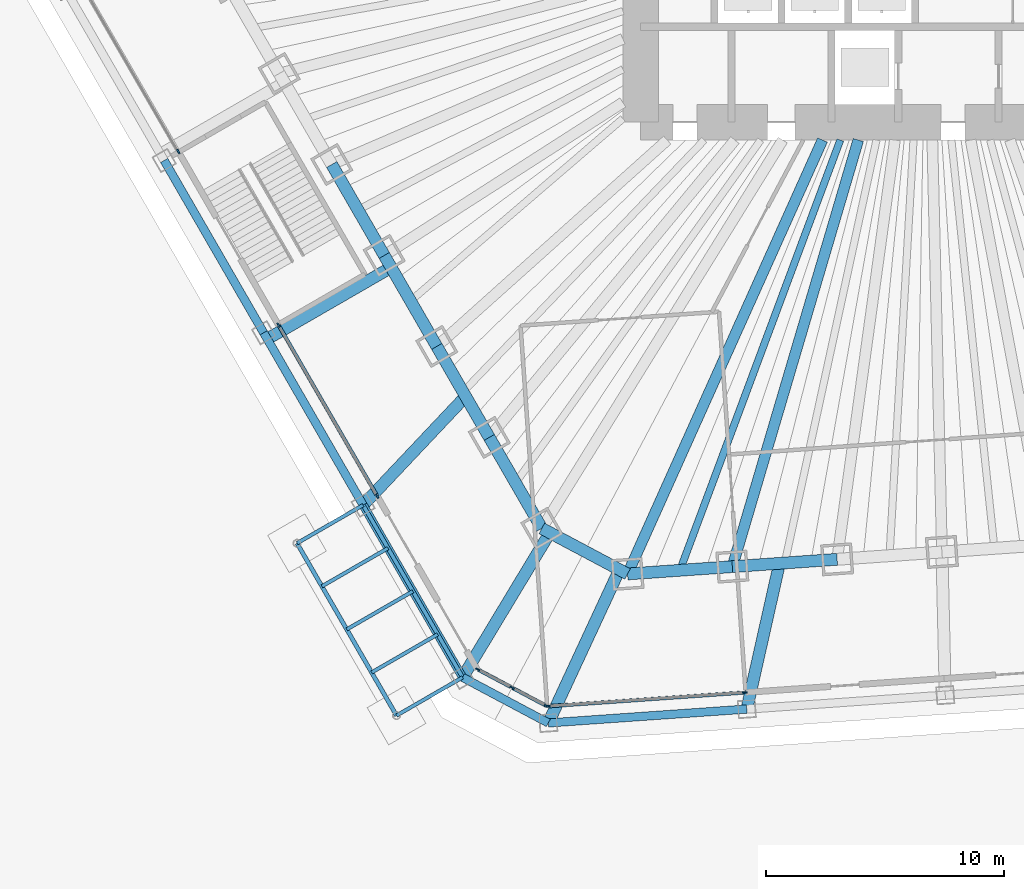
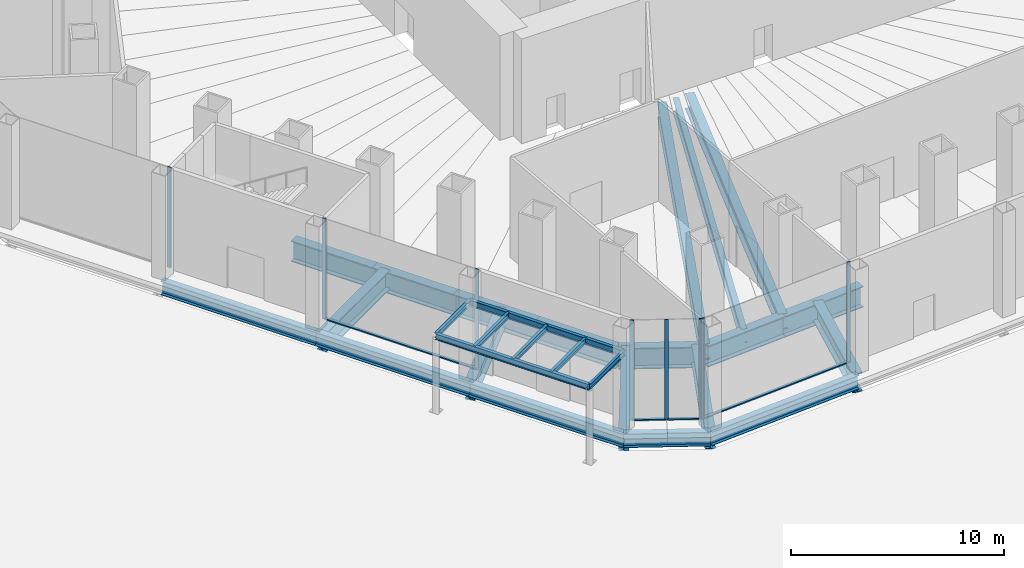
# One storey, part 11 of 45: 27 beams, 12 members, 4 elements without a shape of their own.
"""IFC4 building model written with IfcOpenShell, lengths in metres."""

import ifcopenshell
import ifcopenshell.guid

model = None  # the IFC model being written
_history = None  # IfcOwnerHistory: only IFC2X3 demands one
_inside = {}  # id of a spatial element -> (the spatial element, [elements in it])
_under = {}  # id of a project, library or spatial element -> (it, [spatial elements below it])
_declared = {}  # id of a project -> (the project, [libraries it declares])
_typed = {}  # id of a type object -> (the type object, [elements of that type])
_made_of = {}  # id of a material, layer set ... -> (it, [elements and type objects made of it])


def new_model(schema):
    """Start an empty IFC model of exactly this schema.

    Asked for "IFC4X3", IfcOpenShell would pick the latest addendum, in which some entities
    have other attributes; the version numbers below select the first issue.
    IFC2X3 requires an IfcOwnerHistory on every rooted entity: one is made here for all.
    """
    global model, _history
    if schema == "IFC4X3":
        model = ifcopenshell.file(schema_version=(4, 3, 0, 0))
    else:
        model = ifcopenshell.file(schema=schema)
    _inside.clear()
    _under.clear()
    _declared.clear()
    _typed.clear()
    _made_of.clear()
    _history = None
    if model.schema == "IFC2X3":
        org = make("IfcOrganization", Name="unknown")
        user = make(
            "IfcPersonAndOrganization",
            ThePerson=make("IfcPerson", FamilyName="unknown"),
            TheOrganization=org,
        )
        app = make(
            "IfcApplication",
            ApplicationDeveloper=org,
            Version="unknown",
            ApplicationFullName="unknown",
            ApplicationIdentifier="unknown",
        )
        _history = make(
            "IfcOwnerHistory",
            OwningUser=user,
            OwningApplication=app,
            ChangeAction="ADDED",
            CreationDate=0,
        )
    return model


def make(cls, **values):
    """One entity of the class cls with the attributes given. An attribute that is None is left unset."""
    return model.create_entity(
        cls, **{name: value for name, value in values.items() if value is not None}
    )


def rooted(cls, **values):
    """An entity with a GlobalId (a new one), such as an element, a storey or a relation."""
    return make(cls, GlobalId=ifcopenshell.guid.new(), OwnerHistory=_history, **values)


def si_unit(unit_type, name, prefix=None):
    """IfcSIUnit, for example si_unit("LENGTHUNIT", "METRE", prefix="MILLI")."""
    return make("IfcSIUnit", UnitType=unit_type, Prefix=prefix, Name=name)


def assignment(units):
    """IfcUnitAssignment: the units of a project."""
    return None if units is None else make("IfcUnitAssignment", Units=units)


def point(xyz):
    """IfcCartesianPoint."""
    return None if xyz is None else make("IfcCartesianPoint", Coordinates=xyz)


def direction(xyz):
    """IfcDirection."""
    return None if xyz is None else make("IfcDirection", DirectionRatios=xyz)


def frame(location, z_axis=None, x_axis=None):
    """IfcAxis2Placement3D, a coordinate frame: its origin and axes. An axis left out is left unset."""
    return make(
        "IfcAxis2Placement3D",
        Location=point(location),
        Axis=direction(z_axis),
        RefDirection=direction(x_axis),
    )


def frame_2d(location, x_axis=None):
    """IfcAxis2Placement2D, a coordinate frame in the plane: its origin and x axis."""
    return make(
        "IfcAxis2Placement2D", Location=point(location), RefDirection=direction(x_axis)
    )


def origin():
    """The frame at (0, 0, 0) with its axes left unset."""
    return frame((0.0, 0.0, 0.0))


def origin_2d():
    """The frame at (0, 0) in the plane with its x axis left unset."""
    return frame_2d((0.0, 0.0))


def place(relative_to, where):
    """IfcLocalPlacement: puts the frame where relative to a parent placement (None: the world)."""
    return make(
        "IfcLocalPlacement", PlacementRelTo=relative_to, RelativePlacement=where
    )


def context(
    kind, dimensions, precision=None, world=None, true_north=None, identifier=None
):
    """IfcGeometricRepresentationContext, for example the 3D "Model" context."""
    return make(
        "IfcGeometricRepresentationContext",
        ContextIdentifier=identifier,
        ContextType=kind,
        CoordinateSpaceDimension=dimensions,
        Precision=precision,
        WorldCoordinateSystem=world,
        TrueNorth=true_north,
    )


def subcontext(parent, identifier, kind, view, scale=None):
    """IfcGeometricRepresentationSubContext, for example "Body" below "Model"."""
    return make(
        "IfcGeometricRepresentationSubContext",
        ContextIdentifier=identifier,
        ContextType=kind,
        ParentContext=parent,
        TargetScale=scale,
        TargetView=view,
    )


def project(units=None, contexts=None):
    """IfcProject with its units and contexts."""
    return rooted(
        "IfcProject",
        Name="project",
        RepresentationContexts=contexts,
        UnitsInContext=assignment(units),
    )


def spatial(cls, under=None, at=None, **own):
    """A site, building, storey or space (cls), placed at a placement, below another one or the project."""
    s = rooted(cls, ObjectPlacement=at, **own)
    if under is not None:
        _under.setdefault(under.id(), (under, []))[1].append(s)
    return s


def profile(cls, at=None, kind="AREA", **sizes):
    """A parametric profile (cls). Its sizes go by their IFC names, for example OverallWidth=200.0."""
    return make(cls, ProfileType=kind, Position=at, **sizes)


def rectangle(**sizes):
    """IfcRectangleProfileDef."""
    return profile("IfcRectangleProfileDef", **sizes)


def i_section(**sizes):
    """IfcIShapeProfileDef."""
    return profile("IfcIShapeProfileDef", **sizes)


def extrude(swept, where, along, depth):
    """IfcExtrudedAreaSolid: the profile swept, set in the frame where, extruded along a direction by depth."""
    return make(
        "IfcExtrudedAreaSolid",
        SweptArea=swept,
        Position=where,
        ExtrudedDirection=direction(along),
        Depth=depth,
    )


def shape(context_of_items, identifier, shape_type, items):
    """IfcShapeRepresentation: the items that make up one representation, for example the "Body"."""
    return make(
        "IfcShapeRepresentation",
        ContextOfItems=context_of_items,
        RepresentationIdentifier=identifier,
        RepresentationType=shape_type,
        Items=items,
    )


def material(Name=None, Category=None):
    """IfcMaterial."""
    return make("IfcMaterial", Name=Name, Category=Category)


def material_profile(
    of_material, cross_section, Name=None, Category=None, Priority=None
):
    """IfcMaterialProfile: a cross section and its material."""
    return make(
        "IfcMaterialProfile",
        Name=Name,
        Material=of_material,
        Profile=cross_section,
        Priority=Priority,
        Category=Category,
    )


def profile_set(profiles, Name=None, composite=None):
    """IfcMaterialProfileSet."""
    return make(
        "IfcMaterialProfileSet",
        Name=Name,
        MaterialProfiles=profiles,
        CompositeProfile=composite,
    )


def made_of(thing, what):
    """Note that an element or type object is made of a material, layer set ...; save() writes the relation."""
    if what is not None:
        _made_of.setdefault(what.id(), (what, []))[1].append(thing)
    return thing


def type_object(cls, material=None, **own):
    """A type object (cls), such as IfcWallType, which elements share."""
    return made_of(rooted(cls, **own), material)


def element(
    cls,
    number,
    at=None,
    inside=None,
    cuts=None,
    type_object=None,
    material=None,
    context=None,
    identifier="Body",
    shape_type=None,
    held_by="IfcProductDefinitionShape",
    body=None,
    shapes=None,
    **own,
):
    """One element of the class cls, such as IfcWall. Its Tag is "e" and its number.

    at: its placement. inside: the storey or other place that contains it. cuts: it is an
    opening in that element (IfcRelVoidsElement). A single representation is given by context,
    identifier, shape_type and body (its items); several are given by shapes. held_by: the class
    of the entity that holds the representations. save() writes the other relations.
    """
    e = rooted(cls, Tag="e%d" % number, ObjectPlacement=at, **own)
    if body is not None:
        shapes = [shape(context, identifier, shape_type, body)]
    if shapes is not None:
        e.Representation = make(held_by, Representations=shapes)
    if inside is not None:
        _inside.setdefault(inside.id(), (inside, []))[1].append(e)
    if cuts is not None:
        rooted(
            "IfcRelVoidsElement", RelatingBuildingElement=cuts, RelatedOpeningElement=e
        )
    if type_object is not None:
        _typed.setdefault(type_object.id(), (type_object, []))[1].append(e)
    return made_of(e, material)


def aggregate(whole, parts):
    """IfcRelAggregates: a whole, such as a stair, and the parts it consists of."""
    return rooted("IfcRelAggregates", RelatingObject=whole, RelatedObjects=parts)


def save(model, path):
    """Write the relations noted so far, then the file.

    IfcRelAggregates (storeys below a building ...), IfcRelContainedInSpatialStructure (elements
    in a storey), IfcRelDefinesByType, IfcRelAssociatesMaterial and IfcRelDeclares: one each for
    every whole, place, type object, material and project.
    """
    for whole, parts in _under.values():
        aggregate(whole, parts)
    for where, things in _inside.values():
        rooted(
            "IfcRelContainedInSpatialStructure",
            RelatedElements=things,
            RelatingStructure=where,
        )
    for kind, things in _typed.values():
        rooted("IfcRelDefinesByType", RelatedObjects=things, RelatingType=kind)
    for what, things in _made_of.values():
        rooted("IfcRelAssociatesMaterial", RelatedObjects=things, RelatingMaterial=what)
    for by, libraries in _declared.values():
        rooted("IfcRelDeclares", RelatingContext=by, RelatedDefinitions=libraries)
    model.write(path)


model = new_model("IFC4")

# Units and contexts
model_context = context("Model", 3, precision=1e-05, world=origin(), true_north=direction((0.0, 1.0)))
body_context = subcontext(model_context, "Body", "Model", "MODEL_VIEW")
ifc_project = project(units=[si_unit("LENGTHUNIT", "METRE"), si_unit("AREAUNIT", "SQUARE_METRE"), si_unit("VOLUMEUNIT", "CUBIC_METRE"), si_unit("PLANEANGLEUNIT", "RADIAN"), si_unit("MASSUNIT", "GRAM", prefix="KILO")], contexts=[model_context])

# Site, building, storey
site_placement = place(None, origin())
site = spatial("IfcSite", under=ifc_project, at=site_placement, CompositionType="ELEMENT")
building_placement = place(site_placement, origin())
building = spatial("IfcBuilding", under=site, at=building_placement, Name="Qingtian Harvest Tower", CompositionType="ELEMENT")
storey_placement = place(building_placement, origin())
storey = spatial("IfcBuildingStorey", under=building, at=storey_placement, Name="L00", CompositionType="ELEMENT", Elevation=0.0)

# Beams
ifc_material_1 = material(Name="Steel SN490B", Category="steel")
ifc_material_profile_1 = material_profile(ifc_material_1, i_section(OverallWidth=0.14990234375, OverallDepth=0.300048828125, WebThickness=0.006591796875, FlangeThickness=0.009033203125, at=origin_2d()), Name="H300x150x6.5x9")
ifc_profile_set_1 = profile_set([ifc_material_profile_1], Name="Steel SN490B")
beam_type_1 = type_object("IfcBeamType", Name="Canopy beam CB1 H300x150x6.5x9", PredefinedType="BEAM", material=ifc_profile_set_1)
for number, where, z_axis, x_axis, name in (
    (1, (-19.468505859375, -32.279541015625, 4.31005859375), (-0.866008981251, -0.500028443584, 0.0), (0.500028443584, -0.866008981251, 0.0), "Canopy beam CB1 CN4 0"),
    (2, (-23.639404296875, -25.055419921875, 4.31005859375), (-0.866042017984, -0.499971222258, 0.0), (0.499971222258, -0.866042017984, 0.0), "Canopy beam CB1 CN4 1"),
    (3, (-20.51123046875, -30.4736328125, 4.31005859375), (-0.866042017984, -0.499971222258, 0.0), (0.499971222258, -0.866042017984, 0.0), "Canopy rafter CB1 CN4 0.1"),
    (4, (-21.553955078125, -28.66748046875, 4.31005859375), (-0.866008981251, -0.500028443584, 0.0), (0.500028443584, -0.866008981251, 0.0), "Canopy rafter CB1 CN4 0.2"),
    (5, (-22.5966796875, -26.861328125, 4.31005859375), (-0.866008981251, -0.500028443584, 0.0), (0.500028443584, -0.866008981251, 0.0), "Canopy rafter CB1 CN4 0.3"),
):
    element("IfcBeam", number, at=place(storey_placement, frame(where, z_axis=z_axis, x_axis=x_axis)), inside=storey, type_object=beam_type_1, Name=name, PredefinedType="BEAM", context=body_context, shape_type="SweptSolid", body=[
        extrude(i_section(OverallWidth=0.14990234375, OverallDepth=0.300048828125, WebThickness=0.006591796875, FlangeThickness=0.009033203125, at=origin_2d()), origin(), (0.0, 0.0, 1.0), 3.199951171875),
    ])
ifc_material_2 = material(Name="Steel SN490B", Category="steel")
ifc_material_profile_2 = material_profile(ifc_material_2, i_section(OverallWidth=0.175048828125, OverallDepth=0.35009765625, WebThickness=0.007080078125, FlangeThickness=0.010986328125, at=origin_2d()), Name="H350x175x7x11")
ifc_profile_set_2 = profile_set([ifc_material_profile_2], Name="Steel SN490B")
beam_type_2 = type_object("IfcBeamType", Name="Canopy edge beam CB2 H350x175x7x11", PredefinedType="BEAM", material=ifc_profile_set_2)
beam_1_placement = place(storey_placement, frame((-19.468505859375, -32.279541015625, 4.284912109375), z_axis=(-0.500004511595, 0.866022798998, 0.0), x_axis=(-0.866022798998, -0.500004511595, 0.0)))
element("IfcBeam", 6, at=beam_1_placement, inside=storey, type_object=beam_type_2, Name="Canopy back beam CB1 CN4 0", PredefinedType="BEAM", context=body_context, shape_type="SweptSolid", body=[
    extrude(i_section(OverallWidth=0.175048828125, OverallDepth=0.35009765625, WebThickness=0.007080078125, FlangeThickness=0.010986328125, at=origin_2d()), origin(), (0.0, 0.0, 1.0), 8.341796875),
])
beam_2_placement = place(storey_placement, frame((-22.23974609375, -33.879638671875, 4.284912109375), z_axis=(-0.499991838624, 0.866030115706, 0.0), x_axis=(-0.866030115706, -0.499991838624, 0.0)))
element("IfcBeam", 7, at=beam_2_placement, inside=storey, type_object=beam_type_2, Name="Canopy front beam CB1 CN4 0", PredefinedType="BEAM", context=body_context, shape_type="SweptSolid", body=[
    extrude(i_section(OverallWidth=0.175048828125, OverallDepth=0.35009765625, WebThickness=0.007080078125, FlangeThickness=0.010986328125, at=origin_2d()), origin(), (0.0, 0.0, 1.0), 8.342041015625),
])
ifc_material_3 = material(Name="Steel SM570MC", Category="steel")
ifc_material_profile_3 = material_profile(ifc_material_3, i_section(OverallWidth=0.449951171875, OverallDepth=0.89990234375, WebThickness=0.02197265625, FlangeThickness=0.044921875, at=origin_2d()), Name="H900x450x22x45")
ifc_profile_set_3 = profile_set([ifc_material_profile_3], Name="Steel SM570MC")
beam_type_3 = type_object("IfcBeamType", Name="Floor beam FB5 H900x450x22x45", PredefinedType="BEAM", material=ifc_profile_set_3)
beam_3_placement = place(storey_placement, frame((-8.158935546875, -27.636474609375, -0.699951171875), z_axis=(0.283142824758, 0.95907775534, 0.0), x_axis=(-0.95907775534, 0.283142824758, 0.0)))
element("IfcBeam", 8, at=beam_3_placement, inside=storey, type_object=beam_type_3, Name="Floor beam FB5 S5", PredefinedType="BEAM", context=body_context, shape_type="SweptSolid", body=[
    extrude(i_section(OverallWidth=0.449951171875, OverallDepth=0.89990234375, WebThickness=0.02197265625, FlangeThickness=0.044921875, at=origin_2d()), origin(), (0.0, 0.0, 1.0), 18.649658203125),
])
beam_4_placement = place(storey_placement, frame((-12.552734375, -27.943603515625, -0.699951171875), z_axis=(0.409769605538, 0.912189054077, 0.0), x_axis=(-0.912189054077, 0.409769605538, 0.0)))
element("IfcBeam", 9, at=beam_4_placement, inside=storey, type_object=beam_type_3, Name="Floor beam FB5 S6", PredefinedType="BEAM", context=body_context, shape_type="SweptSolid", body=[
    extrude(i_section(OverallWidth=0.449951171875, OverallDepth=0.89990234375, WebThickness=0.02197265625, FlangeThickness=0.044921875, at=origin_2d()), origin(), (0.0, 0.0, 1.0), 19.945068359375),
])
ifc_material_4 = material(Name="Steel SM570MC", Category="steel")
ifc_material_profile_4 = material_profile(ifc_material_4, i_section(OverallWidth=0.5, OverallDepth=1.10009765625, WebThickness=0.02490234375, FlangeThickness=0.050048828125, at=origin_2d()), Name="H1100x500x25x50")
ifc_profile_set_4 = profile_set([ifc_material_profile_4], Name="Steel SM570MC")
beam_type_4 = type_object("IfcBeamType", Name="Floor beam FB6 H1100x500x25x50", PredefinedType="BEAM", material=ifc_profile_set_4)
beam_5_placement = place(storey_placement, frame((-7.552978515625, -33.608642578125, -0.800048828125), z_axis=(0.219270091225, 0.975664197916, 0.0), x_axis=(-0.975664197916, 0.219270091225, 0.0)))
element("IfcBeam", 10, at=beam_5_placement, inside=storey, type_object=beam_type_4, Name="Podium floor beam FB6 S3", PredefinedType="BEAM", context=body_context, shape_type="SweptSolid", body=[
    extrude(i_section(OverallWidth=0.5, OverallDepth=1.10009765625, WebThickness=0.02490234375, FlangeThickness=0.050048828125, at=origin_2d()), origin(), (0.0, 0.0, 1.0), 6.262939453125),
])
for number, where, z_axis, x_axis, name in (
    (11, (-15.874267578125, -34.190673828125, -0.800048828125), (0.421100170237, 0.907014138052, 0.0), (-0.907014138052, 0.421100170237, 0.0), "Podium floor beam FB6 S4"),
    (12, (-19.468505859375, -32.279541015625, -0.800048828125), (0.516465499259, 0.856307998371, 0.0), (-0.856307998371, 0.516465499259, 0.0), "Podium floor beam FB6 SW0"),
):
    element("IfcBeam", number, at=place(storey_placement, frame(where, z_axis=z_axis, x_axis=x_axis)), inside=storey, type_object=beam_type_4, Name=name, PredefinedType="BEAM", context=body_context, shape_type="SweptSolid", body=[
        extrude(i_section(OverallWidth=0.5, OverallDepth=1.10009765625, WebThickness=0.02490234375, FlangeThickness=0.050048828125, at=origin_2d()), origin(), (0.0, 0.0, 1.0), 7.08544921875),
    ])
beam_6_placement = place(storey_placement, frame((-23.639404296875, -25.055419921875, -0.800048828125), z_axis=(0.686245720633, 0.727369789662, 0.0), x_axis=(-0.727369789662, 0.686245720633, 0.0)))
element("IfcBeam", 13, at=beam_6_placement, inside=storey, type_object=beam_type_4, Name="Podium floor beam FB6 SW1", PredefinedType="BEAM", context=body_context, shape_type="SweptSolid", body=[
    extrude(i_section(OverallWidth=0.5, OverallDepth=1.10009765625, WebThickness=0.02490234375, FlangeThickness=0.050048828125, at=origin_2d()), origin(), (0.0, 0.0, 1.0), 6.26318359375),
])
beam_7_placement = place(storey_placement, frame((-27.66015625, -18.091064453125, -0.800048828125), z_axis=(0.866020924479, 0.500007758305, 0.0), x_axis=(-0.500007758305, 0.866020924479, 0.0)))
element("IfcBeam", 14, at=beam_7_placement, inside=storey, type_object=beam_type_4, Name="Podium floor beam FB6 SW2", PredefinedType="BEAM", context=body_context, shape_type="SweptSolid", body=[
    extrude(i_section(OverallWidth=0.5, OverallDepth=1.10009765625, WebThickness=0.02490234375, FlangeThickness=0.050048828125, at=origin_2d()), origin(), (0.0, 0.0, 1.0), 6.0),
])
ifc_material_5 = material(Name="Steel SN490B", Category="steel")
ifc_material_profile_5 = material_profile(ifc_material_5, i_section(OverallWidth=0.300048828125, OverallDepth=0.800048828125, WebThickness=0.013916015625, FlangeThickness=0.02587890625, at=origin_2d()), Name="H800x300x14x26")
ifc_profile_set_5 = profile_set([ifc_material_profile_5], Name="Steel SN490B")
beam_type_5 = type_object("IfcBeamType", Name="Floor joist J1 H800x300x14x26", PredefinedType="JOIST", material=ifc_profile_set_5)
beam_8_placement = place(storey_placement, frame((-10.35595703125, -27.7900390625, -0.64990234375), z_axis=(0.349193741063, 0.937050548905, 0.0), x_axis=(-0.937050548905, 0.349193741063, 0.0)))
element("IfcBeam", 15, at=beam_8_placement, inside=storey, type_object=beam_type_5, Name="Floor joist J1 S5", PredefinedType="JOIST", context=body_context, shape_type="SweptSolid", body=[
    extrude(i_section(OverallWidth=0.300048828125, OverallDepth=0.800048828125, WebThickness=0.013916015625, FlangeThickness=0.02587890625, at=origin_2d()), origin(), (0.0, 0.0, 1.0), 19.251953125),
])

# Curtain wall, members
ifc_material_6 = material(Name="Bronze-anodised aluminium curtain wall", Category="aluminium")
curtain_wall_type = type_object("IfcCurtainWallType", Name="Curtain wall CW1 podium shopfront", PredefinedType="USERDEFINED", material=ifc_material_6)
curtain_wall_1_placement = place(storey_placement, origin())
curtain_wall_1 = element("IfcCurtainWall", 16, at=curtain_wall_1_placement, inside=storey, type_object=curtain_wall_type, Name="Curtain wall CW1 L00 S3", ObjectType="RECESSED CURTAIN WALL", PredefinedType="USERDEFINED")
ifc_material_7 = material(Name="Bronze-anodised aluminium mullion", Category="aluminium")
ifc_material_profile_6 = material_profile(ifc_material_7, rectangle(XDim=0.06494140625, YDim=0.199951171875, at=origin_2d()), Name="AL 65x200")
ifc_profile_set_6 = profile_set([ifc_material_profile_6], Name="Bronze-anodised aluminium mullion")
member_type_1 = type_object("IfcMemberType", Name="Mullion CWM 65x200", PredefinedType="MULLION", material=ifc_profile_set_6)
member_1_placement = place(storey_placement, frame((-7.634033203125, -32.91259765625, 0.0), z_axis=(0.0, 0.0, 1.0), x_axis=(0.069756473744, -0.99756405026, 0.0)))
member_1 = element("IfcMember", 17, at=member_1_placement, type_object=member_type_1, Name="CW1 mullion 1", PredefinedType="MULLION", context=body_context, shape_type="SweptSolid", body=[
    extrude(rectangle(XDim=0.06494140625, YDim=0.199951171875, at=origin_2d()), origin(), (0.0, 0.0, 1.0), 5.75),
])
member_2_placement = place(storey_placement, frame((-15.890869140625, -33.489990234375, 0.0), z_axis=(0.0, 0.0, 1.0), x_axis=(0.069756473744, -0.99756405026, 0.0)))
member_2 = element("IfcMember", 18, at=member_2_placement, type_object=member_type_1, Name="CW1 mullion 2", PredefinedType="MULLION", context=body_context, shape_type="SweptSolid", body=[
    extrude(rectangle(XDim=0.06494140625, YDim=0.199951171875, at=origin_2d()), origin(), (0.0, 0.0, 1.0), 5.75),
])

curtain_wall_2_placement = place(storey_placement, origin())
curtain_wall_2 = element("IfcCurtainWall", 19, at=curtain_wall_2_placement, inside=storey, type_object=curtain_wall_type, Name="Curtain wall CW1 L00 SC", ObjectType="RECESSED CURTAIN WALL", PredefinedType="USERDEFINED")
member_3_placement = place(storey_placement, frame((-15.951904296875, -33.47705078125, 0.0), z_axis=(0.0, 0.0, 1.0), x_axis=(-0.469471562786, -0.882947592859, 0.0)))
member_3 = element("IfcMember", 20, at=member_3_placement, type_object=member_type_1, Name="CW1 mullion 1", PredefinedType="MULLION", context=body_context, shape_type="SweptSolid", body=[
    extrude(rectangle(XDim=0.06494140625, YDim=0.199951171875, at=origin_2d()), origin(), (0.0, 0.0, 1.0), 5.75),
])
member_4_placement = place(storey_placement, frame((-17.392822265625, -32.7109375, 0.0), z_axis=(0.0, 0.0, 1.0), x_axis=(-0.469471562786, -0.882947592859, 0.0)))
member_4 = element("IfcMember", 21, at=member_4_placement, type_object=member_type_1, Name="CW1 mullion 2", PredefinedType="MULLION", context=body_context, shape_type="SweptSolid", body=[
    extrude(rectangle(XDim=0.06494140625, YDim=0.199951171875, at=origin_2d()), origin(), (0.0, 0.0, 1.0), 5.75),
])
member_5_placement = place(storey_placement, frame((-18.83349609375, -31.94482421875, 0.0), z_axis=(0.0, 0.0, 1.0), x_axis=(-0.469471562786, -0.882947592859, 0.0)))
member_5 = element("IfcMember", 22, at=member_5_placement, type_object=member_type_1, Name="CW1 mullion 3", PredefinedType="MULLION", context=body_context, shape_type="SweptSolid", body=[
    extrude(rectangle(XDim=0.06494140625, YDim=0.199951171875, at=origin_2d()), origin(), (0.0, 0.0, 1.0), 5.75),
])

curtain_wall_3_placement = place(storey_placement, origin())
curtain_wall_3 = element("IfcCurtainWall", 23, at=curtain_wall_3_placement, inside=storey, type_object=curtain_wall_type, Name="Curtain wall CW1 L00 SW1", ObjectType="RECESSED CURTAIN WALL", PredefinedType="USERDEFINED")
member_6_placement = place(storey_placement, frame((-23.04931640625, -24.67724609375, 0.0), z_axis=(0.0, 0.0, 1.0), x_axis=(-0.866025403784, -0.5, 0.0)))
member_6 = element("IfcMember", 24, at=member_6_placement, type_object=member_type_1, Name="CW1 mullion 1", PredefinedType="MULLION", context=body_context, shape_type="SweptSolid", body=[
    extrude(rectangle(XDim=0.06494140625, YDim=0.199951171875, at=origin_2d()), origin(), (0.0, 0.0, 1.0), 5.75),
])
member_7_placement = place(storey_placement, frame((-27.187744140625, -17.50927734375, 0.0), z_axis=(0.0, 0.0, 1.0), x_axis=(-0.866025403784, -0.5, 0.0)))
member_7 = element("IfcMember", 25, at=member_7_placement, type_object=member_type_1, Name="CW1 mullion 2", PredefinedType="MULLION", context=body_context, shape_type="SweptSolid", body=[
    extrude(rectangle(XDim=0.06494140625, YDim=0.199951171875, at=origin_2d()), origin(), (0.0, 0.0, 1.0), 5.75),
])

# Curtain wall, member
curtain_wall_4_placement = place(storey_placement, origin())
curtain_wall_4 = element("IfcCurtainWall", 26, at=curtain_wall_4_placement, inside=storey, type_object=curtain_wall_type, Name="Curtain wall CW1 L00 SW3", ObjectType="RECESSED CURTAIN WALL", PredefinedType="USERDEFINED")
member_8_placement = place(storey_placement, frame((-31.39111328125, -10.228759765625, 0.0), z_axis=(0.0, 0.0, 1.0), x_axis=(-0.866025403784, -0.5, 0.0)))
member_8 = element("IfcMember", 27, at=member_8_placement, type_object=member_type_1, Name="CW1 mullion 1", PredefinedType="MULLION", context=body_context, shape_type="SweptSolid", body=[
    extrude(rectangle(XDim=0.06494140625, YDim=0.199951171875, at=origin_2d()), origin(), (0.0, 0.0, 1.0), 5.75),
])
aggregate(curtain_wall_4, [member_8])

# Beams
ifc_material_8 = material(Name="Steel SN490B", Category="steel")
ifc_material_profile_7 = material_profile(ifc_material_8, i_section(OverallWidth=0.35009765625, OverallDepth=0.800048828125, WebThickness=0.01611328125, FlangeThickness=0.028076171875, at=origin_2d()), Name="H800x350x16x28")
ifc_profile_set_7 = profile_set([ifc_material_profile_7], Name="Steel SN490B")
beam_type_6 = type_object("IfcBeamType", Name="Podium beam PB1 H800x350x16x28", PredefinedType="BEAM", material=ifc_profile_set_7)
beam_9_placement = place(storey_placement, frame((-7.552978515625, -33.608642578125, -0.64990234375), z_axis=(-0.997562798497, -0.06977437248, 0.0), x_axis=(0.06977437248, -0.997562798497, 0.0)))
element("IfcBeam", 28, at=beam_9_placement, inside=storey, type_object=beam_type_6, Name="Podium edge beam PB1 S3", PredefinedType="BEAM", context=body_context, shape_type="SweptSolid", body=[
    extrude(i_section(OverallWidth=0.35009765625, OverallDepth=0.800048828125, WebThickness=0.01611328125, FlangeThickness=0.028076171875, at=origin_2d()), origin(), (0.0, 0.0, 1.0), 8.341552734375),
])
beam_10_placement = place(storey_placement, frame((-15.874267578125, -34.190673828125, -0.64990234375), z_axis=(-0.882943273379, 0.469479686456, 0.0), x_axis=(-0.469479686456, -0.882943273379, 0.0)))
element("IfcBeam", 29, at=beam_10_placement, inside=storey, type_object=beam_type_6, Name="Podium edge beam PB1 S4", PredefinedType="BEAM", context=body_context, shape_type="SweptSolid", body=[
    extrude(i_section(OverallWidth=0.35009765625, OverallDepth=0.800048828125, WebThickness=0.01611328125, FlangeThickness=0.028076171875, at=origin_2d()), origin(), (0.0, 0.0, 1.0), 4.07080078125),
])
for number, where, z_axis, x_axis, name in (
    (30, (-19.468505859375, -32.279541015625, -0.64990234375), (-0.500004511595, 0.866022798998, 0.0), (-0.866022798998, -0.500004511595, 0.0), "Podium edge beam PB1 SW0"),
    (31, (-23.639404296875, -25.055419921875, -0.64990234375), (-0.500004511595, 0.866022798998, 0.0), (-0.866022798998, -0.500004511595, 0.0), "Podium edge beam PB1 SW1"),
):
    element("IfcBeam", number, at=place(storey_placement, frame(where, z_axis=z_axis, x_axis=x_axis)), inside=storey, type_object=beam_type_6, Name=name, PredefinedType="BEAM", context=body_context, shape_type="SweptSolid", body=[
        extrude(i_section(OverallWidth=0.35009765625, OverallDepth=0.800048828125, WebThickness=0.01611328125, FlangeThickness=0.028076171875, at=origin_2d()), origin(), (0.0, 0.0, 1.0), 8.341796875),
    ])
beam_11_placement = place(storey_placement, frame((-27.810302734375, -17.831298828125, -0.64990234375), z_axis=(-0.499991838624, 0.866030115706, 0.0), x_axis=(-0.866030115706, -0.499991838624, 0.0)))
element("IfcBeam", 32, at=beam_11_placement, inside=storey, type_object=beam_type_6, Name="Podium edge beam PB1 SW2", PredefinedType="BEAM", context=body_context, shape_type="SweptSolid", body=[
    extrude(i_section(OverallWidth=0.35009765625, OverallDepth=0.800048828125, WebThickness=0.01611328125, FlangeThickness=0.028076171875, at=origin_2d()), origin(), (0.0, 0.0, 1.0), 8.342041015625),
])
ifc_material_9 = material(Name="Steel SM570MC", Category="steel")
ifc_material_profile_8 = material_profile(ifc_material_9, i_section(OverallWidth=0.5, OverallDepth=1.199951171875, WebThickness=0.02490234375, FlangeThickness=0.050048828125, at=origin_2d()), Name="H1200x500x25x50")
ifc_profile_set_8 = profile_set([ifc_material_profile_8], Name="Steel SM570MC")
beam_type_7 = type_object("IfcBeamType", Name="Spandrel beam SB1 H1200x500x25x50", PredefinedType="SPANDREL", material=ifc_profile_set_8)
for number, where, z_axis, x_axis, name in (
    (33, (-3.76513671875, -27.3291015625, -0.85009765625), (-0.997562016486, -0.069785551967, 0.0), (0.069785551967, -0.997562016486, 0.0), "Spandrel SB1 S4"),
    (34, (-8.158935546875, -27.636474609375, -0.85009765625), (-0.997565873714, -0.069730392239, 0.0), (0.069730392239, -0.997565873714, 0.0), "Spandrel SB1 S5"),
):
    element("IfcBeam", number, at=place(storey_placement, frame(where, z_axis=z_axis, x_axis=x_axis)), inside=storey, type_object=beam_type_7, Name=name, PredefinedType="SPANDREL", context=body_context, shape_type="SweptSolid", body=[
        extrude(i_section(OverallWidth=0.5, OverallDepth=1.199951171875, WebThickness=0.02490234375, FlangeThickness=0.050048828125, at=origin_2d()), origin(), (0.0, 0.0, 1.0), 4.404541015625),
    ])
beam_12_placement = place(storey_placement, frame((-12.552734375, -27.943603515625, -0.85009765625), z_axis=(-0.882968133669, 0.469432929101, 0.0), x_axis=(-0.469432929101, -0.882968133669, 0.0)))
element("IfcBeam", 35, at=beam_12_placement, inside=storey, type_object=beam_type_7, Name="Spandrel SB1 SC", PredefinedType="SPANDREL", context=body_context, shape_type="SweptSolid", body=[
    extrude(i_section(OverallWidth=0.5, OverallDepth=1.199951171875, WebThickness=0.02490234375, FlangeThickness=0.050048828125, at=origin_2d()), origin(), (0.0, 0.0, 1.0), 4.070556640625),
])
beam_13_placement = place(storey_placement, frame((-16.14697265625, -26.03271484375, -0.85009765625), z_axis=(-0.50001992892, 0.866013897511, 0.0), x_axis=(-0.866013897511, -0.50001992892, 0.0)))
element("IfcBeam", 36, at=beam_13_placement, inside=storey, type_object=beam_type_7, Name="Spandrel SB1 SW0", PredefinedType="SPANDREL", context=body_context, shape_type="SweptSolid", body=[
    extrude(i_section(OverallWidth=0.5, OverallDepth=1.199951171875, WebThickness=0.02490234375, FlangeThickness=0.050048828125, at=origin_2d()), origin(), (0.0, 0.0, 1.0), 4.404541015625),
])
beam_14_placement = place(storey_placement, frame((-18.349365234375, -22.21826171875, -0.85009765625), z_axis=(-0.499954356739, 0.86605175433, 0.0), x_axis=(-0.86605175433, -0.499954356739, 0.0)))
element("IfcBeam", 37, at=beam_14_placement, inside=storey, type_object=beam_type_7, Name="Spandrel SB1 SW1", PredefinedType="SPANDREL", context=body_context, shape_type="SweptSolid", body=[
    extrude(i_section(OverallWidth=0.5, OverallDepth=1.199951171875, WebThickness=0.02490234375, FlangeThickness=0.050048828125, at=origin_2d()), origin(), (0.0, 0.0, 1.0), 4.40478515625),
])
for number, where, z_axis, x_axis, name in (
    (38, (-20.551513671875, -18.403564453125, -0.85009765625), (-0.50001992892, 0.866013897511, 0.0), (-0.866013897511, -0.50001992892, 0.0), "Spandrel SB1 SW2"),
    (39, (-22.75390625, -14.589111328125, -0.85009765625), (-0.499978356969, 0.866037899034, 0.0), (-0.866037899034, -0.499978356969, 0.0), "Spandrel SB1 SW3"),
):
    element("IfcBeam", number, at=place(storey_placement, frame(where, z_axis=z_axis, x_axis=x_axis)), inside=storey, type_object=beam_type_7, Name=name, PredefinedType="SPANDREL", context=body_context, shape_type="SweptSolid", body=[
        extrude(i_section(OverallWidth=0.5, OverallDepth=1.199951171875, WebThickness=0.02490234375, FlangeThickness=0.050048828125, at=origin_2d()), origin(), (0.0, 0.0, 1.0), 4.404541015625),
    ])

# Member
ifc_material_10 = material(Name="Bronze-anodised aluminium transom", Category="aluminium")
ifc_material_profile_9 = material_profile(ifc_material_10, rectangle(XDim=0.14990234375, YDim=0.06494140625, at=origin_2d()), Name="AL 65x150")
ifc_profile_set_9 = profile_set([ifc_material_profile_9], Name="Bronze-anodised aluminium transom")
member_type_2 = type_object("IfcMemberType", Name="Transom CWT 65x150", PredefinedType="USERDEFINED", material=ifc_profile_set_9)
member_9_placement = place(storey_placement, frame((-7.66650390625, -32.9150390625, 0.032470703125), z_axis=(-0.997564721023, -0.069746880715, 0.0), x_axis=(0.069746880715, -0.997564721023, 0.0)))
member_9 = element("IfcMember", 40, at=member_9_placement, type_object=member_type_2, Name="CW1 transom 1.1", ObjectType="TRANSOM", PredefinedType="USERDEFINED", context=body_context, shape_type="SweptSolid", body=[
    extrude(rectangle(XDim=0.14990234375, YDim=0.06494140625, at=origin_2d()), origin(), (0.0, 0.0, 1.0), 8.2119140625),
])

aggregate(curtain_wall_1, [member_1, member_2, member_9])

member_10_placement = place(storey_placement, frame((-15.98046875, -33.4619140625, 0.032470703125), z_axis=(-0.882960338349, 0.46944759122, 0.0), x_axis=(-0.46944759122, -0.882960338349, 0.0)))
member_10 = element("IfcMember", 41, at=member_10_placement, type_object=member_type_2, Name="CW1 transom 1.1", ObjectType="TRANSOM", PredefinedType="USERDEFINED", context=body_context, shape_type="SweptSolid", body=[
    extrude(rectangle(XDim=0.14990234375, YDim=0.06494140625, at=origin_2d()), origin(), (0.0, 0.0, 1.0), 1.56689453125),
])

member_11_placement = place(storey_placement, frame((-17.42138671875, -32.69580078125, 0.032470703125), z_axis=(-0.882960338349, 0.46944759122, 0.0), x_axis=(-0.46944759122, -0.882960338349, 0.0)))
member_11 = element("IfcMember", 42, at=member_11_placement, type_object=member_type_2, Name="CW1 transom 2.1", ObjectType="TRANSOM", PredefinedType="USERDEFINED", context=body_context, shape_type="SweptSolid", body=[
    extrude(rectangle(XDim=0.14990234375, YDim=0.06494140625, at=origin_2d()), origin(), (0.0, 0.0, 1.0), 1.56689453125),
])

aggregate(curtain_wall_2, [member_3, member_4, member_5, member_10, member_11])

member_12_placement = place(storey_placement, frame((-23.065673828125, -24.649169921875, 0.032470703125), z_axis=(-0.500008116609, 0.866020717607, 0.0), x_axis=(-0.866020717607, -0.500008116609, 0.0)))
member_12 = element("IfcMember", 43, at=member_12_placement, type_object=member_type_2, Name="CW1 transom 1.1", ObjectType="TRANSOM", PredefinedType="USERDEFINED", context=body_context, shape_type="SweptSolid", body=[
    extrude(rectangle(XDim=0.14990234375, YDim=0.06494140625, at=origin_2d()), origin(), (0.0, 0.0, 1.0), 8.211669921875),
])

aggregate(curtain_wall_3, [member_6, member_7, member_12])

save(model, "model.ifc")
